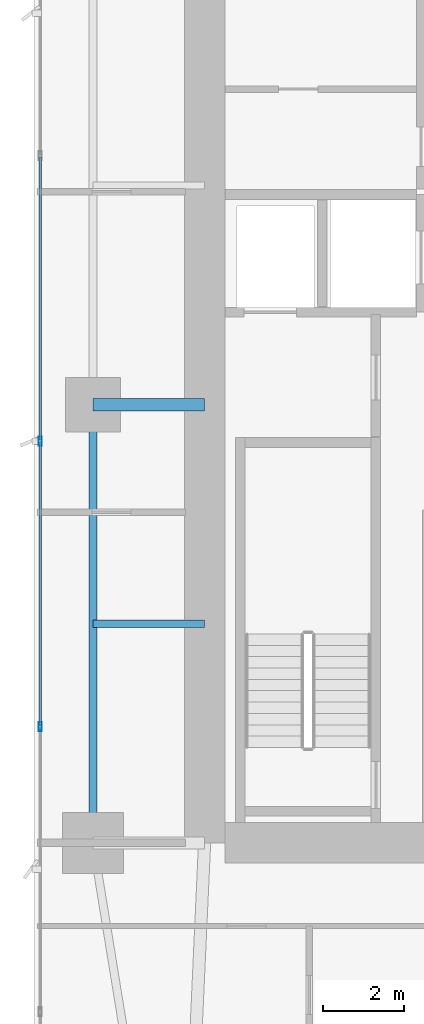
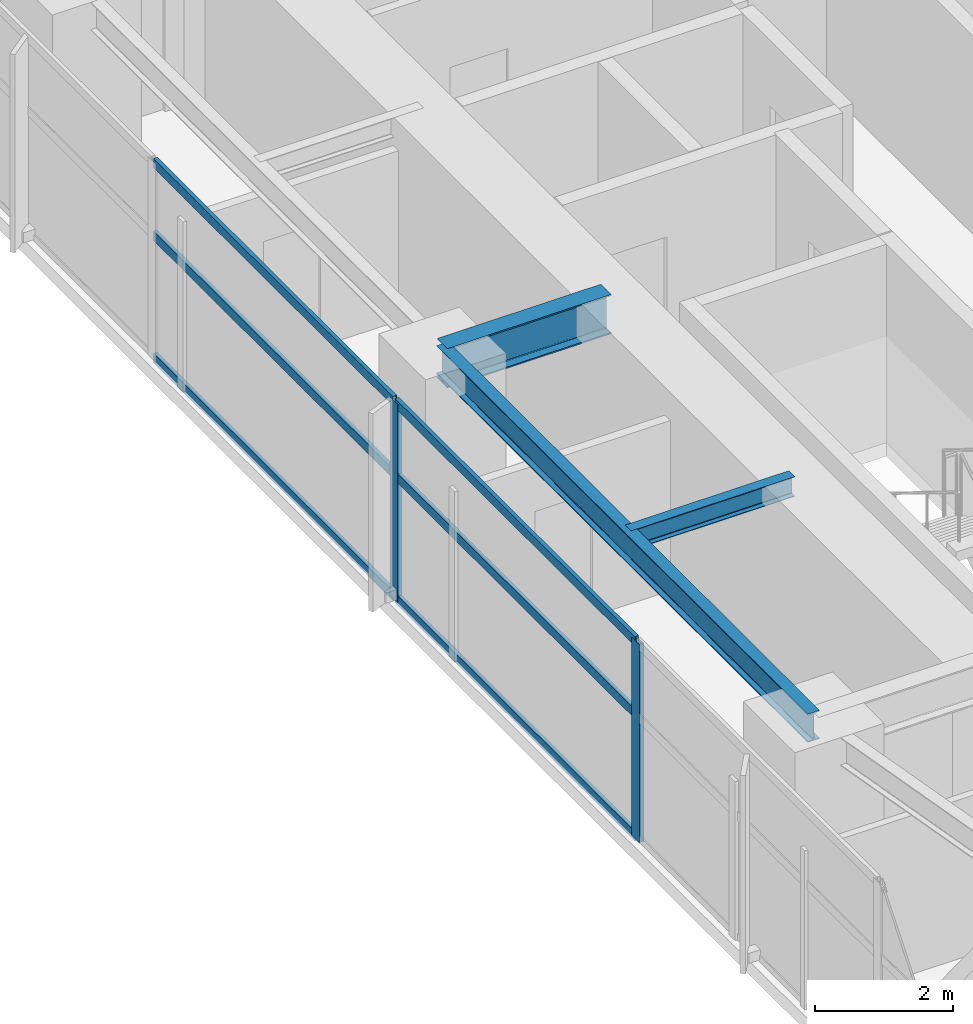
# One storey, part 7 of 28: 8 members, 3 beams, 1 element without a shape of its own.
"""IFC4 building model written with IfcOpenShell, lengths in metres."""

from ifc_helpers import new_model, si_unit, direction, frame, origin, origin_2d, place, context, subcontext, project, spatial, hollow_rectangle, i_section, extrude, material, layer, layer_set, material_profile, profile_set, type_object, element, aggregate, save


model = new_model("IFC4")

# Units and contexts
model_context = context("Model", 3, precision=1e-05, world=origin(), true_north=direction((0.0, 1.0)))
body_context = subcontext(model_context, "Body", "Model", "MODEL_VIEW")
ifc_project = project(units=[si_unit("LENGTHUNIT", "METRE"), si_unit("AREAUNIT", "SQUARE_METRE"), si_unit("VOLUMEUNIT", "CUBIC_METRE"), si_unit("PLANEANGLEUNIT", "RADIAN"), si_unit("MASSUNIT", "GRAM", prefix="KILO")], contexts=[model_context])

# Site, building, storey
site_placement = place(None, origin())
site = spatial("IfcSite", under=ifc_project, at=site_placement, CompositionType="ELEMENT")
building_placement = place(site_placement, origin())
building = spatial("IfcBuilding", under=site, at=building_placement, Name="Calvorn Quay Hotel", CompositionType="ELEMENT")
storey_placement = place(building_placement, frame((0.0, 0.0, 42.199951171875)))
storey = spatial("IfcBuildingStorey", under=building, at=storey_placement, Name="L09", CompositionType="ELEMENT", Elevation=42.199951171875)

# Beams
ifc_material_1 = material(Name="Steel Q390GJC", Category="steel")
ifc_material_profile_1 = material_profile(ifc_material_1, i_section(OverallWidth=0.300048828125, OverallDepth=0.699951171875, WebThickness=0.012939453125, FlangeThickness=0.02392578125, FilletRadius=0.02392578125, at=origin_2d()), Name="HN700x300x13x24")
ifc_profile_set_1 = profile_set([ifc_material_profile_1], Name="Steel Q390GJC")
beam_type_1 = type_object("IfcBeamType", Name="BM-GIRD-MAIN", PredefinedType="BEAM", material=ifc_profile_set_1)
beam_1_placement = place(storey_placement, frame((1.449951171875, 27.60009765625, 3.170166015625), z_axis=(1.0, 0.0, 0.0), x_axis=(0.0, 1.0, 0.0)))
element("IfcBeam", 1, at=beam_1_placement, inside=storey, type_object=beam_type_1, Name="Beam BG-L09-W2", PredefinedType="BEAM", context=body_context, shape_type="SweptSolid", body=[
    extrude(i_section(OverallWidth=0.300048828125, OverallDepth=0.699951171875, WebThickness=0.012939453125, FlangeThickness=0.02392578125, FilletRadius=0.02392578125, at=origin_2d()), origin(), (0.0, 0.0, 1.0), 2.75),
])
ifc_material_2 = material(Name="Steel Q355B", Category="steel")
ifc_material_profile_2 = material_profile(ifc_material_2, i_section(OverallWidth=0.175048828125, OverallDepth=0.35009765625, WebThickness=0.007080078125, FlangeThickness=0.010986328125, FilletRadius=0.013916015625, at=origin_2d()), Name="HN350x175x7x11")
ifc_profile_set_2 = profile_set([ifc_material_profile_2], Name="Steel Q355B")
beam_type_2 = type_object("IfcBeamType", Name="BM-JOIST-SEC", PredefinedType="JOIST", material=ifc_profile_set_2)
beam_2_placement = place(storey_placement, frame((1.449951171875, 22.199951171875, 3.344970703125), z_axis=(1.0, 0.0, 0.0), x_axis=(0.0, 1.0, 0.0)))
element("IfcBeam", 2, at=beam_2_placement, inside=storey, type_object=beam_type_2, Name="Beam BJ-L09-W3", PredefinedType="JOIST", context=body_context, shape_type="SweptSolid", body=[
    extrude(i_section(OverallWidth=0.175048828125, OverallDepth=0.35009765625, WebThickness=0.007080078125, FlangeThickness=0.010986328125, FilletRadius=0.013916015625, at=origin_2d()), origin(), (0.0, 0.0, 1.0), 2.75),
])
ifc_material_3 = material(Name="Steel Q355B", Category="steel")
ifc_material_profile_3 = material_profile(ifc_material_3, i_section(OverallWidth=0.199951171875, OverallDepth=0.5, WebThickness=0.010009765625, FlangeThickness=0.01611328125, FilletRadius=0.01611328125, at=origin_2d()), Name="HN500x200x10x16")
ifc_profile_set_3 = profile_set([ifc_material_profile_3], Name="Steel Q355B")
beam_type_3 = type_object("IfcBeamType", Name="BM-SPANDREL-Z1", PredefinedType="SPANDREL", material=ifc_profile_set_3)
beam_3_placement = place(storey_placement, frame((1.449951171875, 16.800048828125, 3.27001953125), z_axis=(0.0, 1.0, 0.0), x_axis=(-1.0, 0.0, 0.0)))
element("IfcBeam", 3, at=beam_3_placement, inside=storey, type_object=beam_type_3, Name="Beam BSP-L09-W2", PredefinedType="SPANDREL", context=body_context, shape_type="SweptSolid", body=[
    extrude(i_section(OverallWidth=0.199951171875, OverallDepth=0.5, WebThickness=0.010009765625, FlangeThickness=0.01611328125, FilletRadius=0.01611328125, at=origin_2d()), origin(), (0.0, 0.0, 1.0), 10.800048828125),
])

# Curtain wall, members
ifc_material_4 = material(Name="Pale Anodised Aluminium and Low-E Glass", Category="aluminium")
ifc_layer = layer(ifc_material_4, 0.219970703125)
ifc_layer_set = layer_set([ifc_layer], Name="CW-SYS-Z1")
curtain_wall_type = type_object("IfcCurtainWallType", Name="CW-SYS-Z1", PredefinedType="NOTDEFINED", material=ifc_layer_set)
curtain_wall_placement = place(storey_placement, origin())
curtain_wall = element("IfcCurtainWall", 4, at=curtain_wall_placement, inside=storey, type_object=curtain_wall_type, Name="Tower West Curtain Wall (L09)", PredefinedType="NOTDEFINED")
ifc_material_5 = material(Name="Pale Anodised Aluminium 6063-T6", Category="aluminium")
ifc_material_profile_4 = material_profile(ifc_material_5, hollow_rectangle(XDim=0.074951171875, YDim=0.219970703125, WallThickness=0.00439453125, at=origin_2d()), Name="ALU-M220x75x4.5")
ifc_profile_set_4 = profile_set([ifc_material_profile_4], Name="Pale Anodised Aluminium 6063-T6")
member_type_1 = type_object("IfcMemberType", Name="CW-SYS-Z1-MUL", PredefinedType="MULLION", material=ifc_profile_set_4)
member_1_placement = place(storey_placement, frame((0.14990234375, 19.666748046875, 0.0), z_axis=(0.0, 0.0, 1.0), x_axis=(-1.0, 0.0, 0.0)))
member_1 = element("IfcMember", 5, at=member_1_placement, type_object=member_type_1, Name="CW-L09-W mullion 3", PredefinedType="MULLION", context=body_context, shape_type="SweptSolid", body=[
    extrude(hollow_rectangle(XDim=0.074951171875, YDim=0.219970703125, WallThickness=0.00439453125, at=origin_2d()), origin(), (0.0, 0.0, 1.0), 3.52001953125),
])
member_2_placement = place(storey_placement, frame((0.14990234375, 26.699951171875, 0.0), z_axis=(0.0, 0.0, 1.0), x_axis=(-1.0, 0.0, 0.0)))
member_2 = element("IfcMember", 6, at=member_2_placement, type_object=member_type_1, Name="CW-L09-W mullion 4", PredefinedType="MULLION", context=body_context, shape_type="SweptSolid", body=[
    extrude(hollow_rectangle(XDim=0.074951171875, YDim=0.219970703125, WallThickness=0.00439453125, at=origin_2d()), origin(), (0.0, 0.0, 1.0), 3.52001953125),
])
ifc_material_6 = material(Name="Pale Anodised Aluminium 6063-T6", Category="aluminium")
ifc_material_profile_5 = material_profile(ifc_material_6, hollow_rectangle(XDim=0.06494140625, YDim=0.1650390625, WallThickness=0.00341796875, at=origin_2d()), Name="ALU-T165x65x3.5")
ifc_profile_set_5 = profile_set([ifc_material_profile_5], Name="Pale Anodised Aluminium 6063-T6")
member_type_2 = type_object("IfcMemberType", Name="CW-SYS-Z1-TRN", PredefinedType="USERDEFINED", material=ifc_profile_set_5)
member_3_placement = place(storey_placement, frame((0.14990234375, 19.69677734375, 0.030029296875), z_axis=(0.0, 1.0, 0.0), x_axis=(-1.0, 0.0, 0.0)))
member_3 = element("IfcMember", 7, at=member_3_placement, type_object=member_type_2, Name="CW-L09-W transom 3.1", ObjectType="TRANSOM", PredefinedType="USERDEFINED", context=body_context, shape_type="SweptSolid", body=[
    extrude(hollow_rectangle(XDim=0.06494140625, YDim=0.1650390625, WallThickness=0.00341796875, at=origin_2d()), origin(), (0.0, 0.0, 1.0), 6.97314453125),
])
member_4_placement = place(storey_placement, frame((0.14990234375, 19.69677734375, 2.199951171875), z_axis=(0.0, 1.0, 0.0), x_axis=(-1.0, 0.0, 0.0)))
member_4 = element("IfcMember", 8, at=member_4_placement, type_object=member_type_2, Name="CW-L09-W transom 3.2", ObjectType="TRANSOM", PredefinedType="USERDEFINED", context=body_context, shape_type="SweptSolid", body=[
    extrude(hollow_rectangle(XDim=0.06494140625, YDim=0.1650390625, WallThickness=0.00341796875, at=origin_2d()), origin(), (0.0, 0.0, 1.0), 6.97314453125),
])
member_5_placement = place(storey_placement, frame((0.14990234375, 19.69677734375, 3.489990234375), z_axis=(0.0, 1.0, 0.0), x_axis=(-1.0, 0.0, 0.0)))
member_5 = element("IfcMember", 9, at=member_5_placement, type_object=member_type_2, Name="CW-L09-W transom 3.3", ObjectType="TRANSOM", PredefinedType="USERDEFINED", context=body_context, shape_type="SweptSolid", body=[
    extrude(hollow_rectangle(XDim=0.06494140625, YDim=0.1650390625, WallThickness=0.00341796875, at=origin_2d()), origin(), (0.0, 0.0, 1.0), 6.97314453125),
])
member_6_placement = place(storey_placement, frame((0.14990234375, 26.72998046875, 0.030029296875), z_axis=(0.0, 1.0, 0.0), x_axis=(-1.0, 0.0, 0.0)))
member_6 = element("IfcMember", 10, at=member_6_placement, type_object=member_type_2, Name="CW-L09-W transom 4.1", ObjectType="TRANSOM", PredefinedType="USERDEFINED", context=body_context, shape_type="SweptSolid", body=[
    extrude(hollow_rectangle(XDim=0.06494140625, YDim=0.1650390625, WallThickness=0.00341796875, at=origin_2d()), origin(), (0.0, 0.0, 1.0), 6.973388671875),
])
member_7_placement = place(storey_placement, frame((0.14990234375, 26.72998046875, 2.199951171875), z_axis=(0.0, 1.0, 0.0), x_axis=(-1.0, 0.0, 0.0)))
member_7 = element("IfcMember", 11, at=member_7_placement, type_object=member_type_2, Name="CW-L09-W transom 4.2", ObjectType="TRANSOM", PredefinedType="USERDEFINED", context=body_context, shape_type="SweptSolid", body=[
    extrude(hollow_rectangle(XDim=0.06494140625, YDim=0.1650390625, WallThickness=0.00341796875, at=origin_2d()), origin(), (0.0, 0.0, 1.0), 6.973388671875),
])
member_8_placement = place(storey_placement, frame((0.14990234375, 26.72998046875, 3.489990234375), z_axis=(0.0, 1.0, 0.0), x_axis=(-1.0, 0.0, 0.0)))
member_8 = element("IfcMember", 12, at=member_8_placement, type_object=member_type_2, Name="CW-L09-W transom 4.3", ObjectType="TRANSOM", PredefinedType="USERDEFINED", context=body_context, shape_type="SweptSolid", body=[
    extrude(hollow_rectangle(XDim=0.06494140625, YDim=0.1650390625, WallThickness=0.00341796875, at=origin_2d()), origin(), (0.0, 0.0, 1.0), 6.973388671875),
])
aggregate(curtain_wall, [member_1, member_2, member_3, member_4, member_5, member_6, member_7, member_8])

save(model, "model.ifc")
